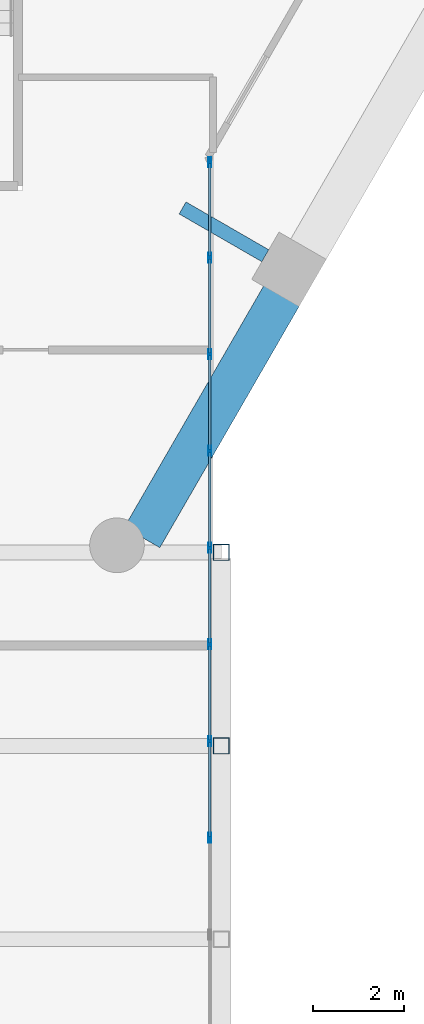
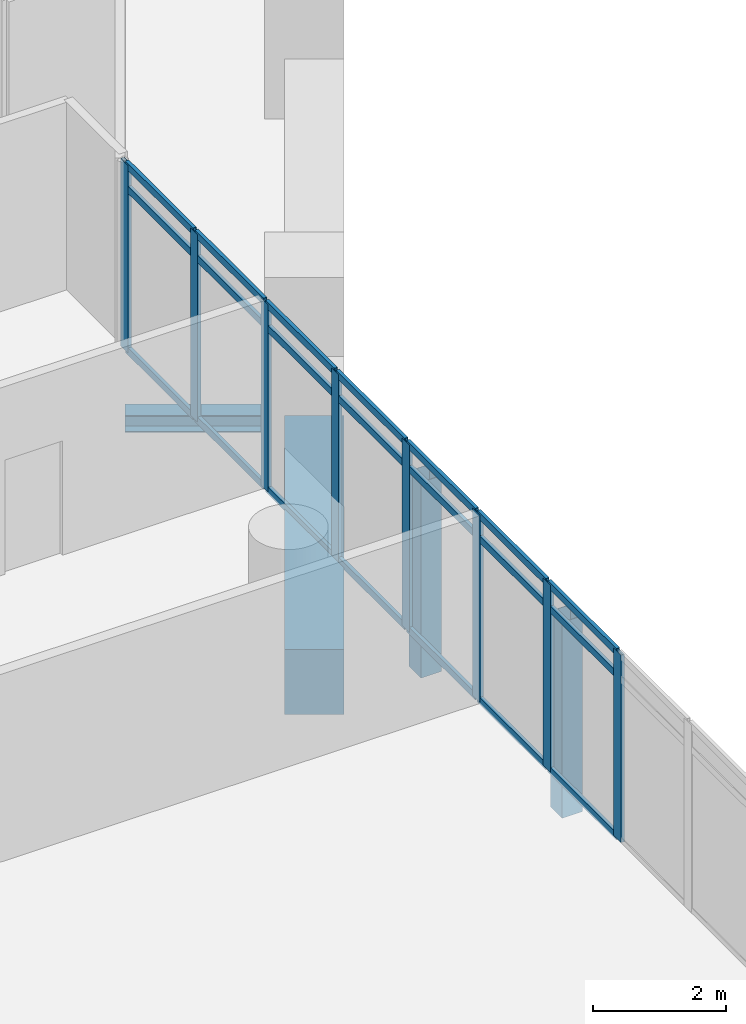
# One storey, part 14 of 37: 31 members, 2 beams, 1 element without a shape of its own.
"""IFC4 building model written with IfcOpenShell, lengths in metres."""

from ifc_helpers import new_model, si_unit, direction, frame, origin, origin_2d, place, context, subcontext, project, spatial, rectangle, hollow_rectangle, i_section, extrude, material, material_profile, profile_set, type_object, element, aggregate, save


model = new_model("IFC4")

# Units and contexts
model_context = context("Model", 3, precision=1e-05, world=origin(), true_north=direction((0.0, 1.0)))
body_context = subcontext(model_context, "Body", "Model", "MODEL_VIEW")
ifc_project = project(units=[si_unit("LENGTHUNIT", "METRE"), si_unit("AREAUNIT", "SQUARE_METRE"), si_unit("VOLUMEUNIT", "CUBIC_METRE"), si_unit("PLANEANGLEUNIT", "RADIAN"), si_unit("MASSUNIT", "GRAM", prefix="KILO")], contexts=[model_context])

# Site, building, storey
site_placement = place(None, origin())
site = spatial("IfcSite", under=ifc_project, at=site_placement, CompositionType="ELEMENT")
building_placement = place(site_placement, origin())
building = spatial("IfcBuilding", under=site, at=building_placement, Name="Ostrander Bayou Hotel Tower", CompositionType="ELEMENT")
storey_placement = place(building_placement, frame((0.0, 0.0, 93.0)))
storey = spatial("IfcBuildingStorey", under=building, at=storey_placement, Name="L23", CompositionType="ELEMENT", Elevation=93.0)

# Curtain wall, members
ifc_material_1 = material(Name="Aluminium and clear glass", Category="aluminium")
curtain_wall_type = type_object("IfcCurtainWallType", Name="CW-BAR glazed wall", PredefinedType="NOTDEFINED", material=ifc_material_1)
curtain_wall_placement = place(storey_placement, origin())
curtain_wall = element("IfcCurtainWall", 1, at=curtain_wall_placement, inside=storey, type_object=curtain_wall_type, Name="CW-BAR L23:SB2S:W", PredefinedType="NOTDEFINED")
ifc_material_2 = material(Name="Aluminium", Category="aluminium")
ifc_material_profile_1 = material_profile(ifc_material_2, hollow_rectangle(XDim=0.06005859375, YDim=0.219970703125, WallThickness=0.00390625, at=origin_2d()))
ifc_profile_set_1 = profile_set([ifc_material_profile_1], Name="Aluminium")
member_type_1 = type_object("IfcMemberType", Name="CW-BR mullion 60 x 220 mm", PredefinedType="MULLION", material=ifc_profile_set_1)
member_1_placement = place(storey_placement, frame((13.3671875, -10.877197265625, 0.0), z_axis=(0.0, 0.0, 1.0), x_axis=(1.0, 0.0, 0.0)))
member_1 = element("IfcMember", 2, at=member_1_placement, type_object=member_type_1, Name="CW-BAR mullion 1", PredefinedType="MULLION", context=body_context, shape_type="SweptSolid", body=[
    extrude(hollow_rectangle(XDim=0.06005859375, YDim=0.219970703125, WallThickness=0.00390625, at=origin_2d()), origin(), (0.0, 0.0, 1.0), 3.449951171875),
])
member_2_placement = place(storey_placement, frame((13.3671875, -12.972412109375, 0.0), z_axis=(0.0, 0.0, 1.0), x_axis=(1.0, 0.0, 0.0)))
member_2 = element("IfcMember", 3, at=member_2_placement, type_object=member_type_1, Name="CW-BAR mullion 2", PredefinedType="MULLION", context=body_context, shape_type="SweptSolid", body=[
    extrude(hollow_rectangle(XDim=0.06005859375, YDim=0.219970703125, WallThickness=0.00390625, at=origin_2d()), origin(), (0.0, 0.0, 1.0), 3.449951171875),
])
member_3_placement = place(storey_placement, frame((13.3671875, -15.097412109375, 0.0), z_axis=(0.0, 0.0, 1.0), x_axis=(1.0, 0.0, 0.0)))
member_3 = element("IfcMember", 4, at=member_3_placement, type_object=member_type_1, Name="CW-BAR mullion 3", PredefinedType="MULLION", context=body_context, shape_type="SweptSolid", body=[
    extrude(hollow_rectangle(XDim=0.06005859375, YDim=0.219970703125, WallThickness=0.00390625, at=origin_2d()), origin(), (0.0, 0.0, 1.0), 3.449951171875),
])
member_4_placement = place(storey_placement, frame((13.3671875, -17.222412109375, 0.0), z_axis=(0.0, 0.0, 1.0), x_axis=(1.0, 0.0, 0.0)))
member_4 = element("IfcMember", 5, at=member_4_placement, type_object=member_type_1, Name="CW-BAR mullion 4", PredefinedType="MULLION", context=body_context, shape_type="SweptSolid", body=[
    extrude(hollow_rectangle(XDim=0.06005859375, YDim=0.219970703125, WallThickness=0.00390625, at=origin_2d()), origin(), (0.0, 0.0, 1.0), 3.449951171875),
])
member_5_placement = place(storey_placement, frame((13.3671875, -19.347412109375, 0.0), z_axis=(0.0, 0.0, 1.0), x_axis=(1.0, 0.0, 0.0)))
member_5 = element("IfcMember", 6, at=member_5_placement, type_object=member_type_1, Name="CW-BAR mullion 5", PredefinedType="MULLION", context=body_context, shape_type="SweptSolid", body=[
    extrude(hollow_rectangle(XDim=0.06005859375, YDim=0.219970703125, WallThickness=0.00390625, at=origin_2d()), origin(), (0.0, 0.0, 1.0), 3.449951171875),
])
member_6_placement = place(storey_placement, frame((13.3671875, -21.47265625, 0.0), z_axis=(0.0, 0.0, 1.0), x_axis=(1.0, 0.0, 0.0)))
member_6 = element("IfcMember", 7, at=member_6_placement, type_object=member_type_1, Name="CW-BAR mullion 6", PredefinedType="MULLION", context=body_context, shape_type="SweptSolid", body=[
    extrude(hollow_rectangle(XDim=0.06005859375, YDim=0.219970703125, WallThickness=0.00390625, at=origin_2d()), origin(), (0.0, 0.0, 1.0), 3.449951171875),
])
member_7_placement = place(storey_placement, frame((13.3671875, -23.59765625, 0.0), z_axis=(0.0, 0.0, 1.0), x_axis=(1.0, 0.0, 0.0)))
member_7 = element("IfcMember", 8, at=member_7_placement, type_object=member_type_1, Name="CW-BAR mullion 7", PredefinedType="MULLION", context=body_context, shape_type="SweptSolid", body=[
    extrude(hollow_rectangle(XDim=0.06005859375, YDim=0.219970703125, WallThickness=0.00390625, at=origin_2d()), origin(), (0.0, 0.0, 1.0), 3.449951171875),
])
member_8_placement = place(storey_placement, frame((13.3671875, -25.72265625, 0.0), z_axis=(0.0, 0.0, 1.0), x_axis=(1.0, 0.0, 0.0)))
member_8 = element("IfcMember", 9, at=member_8_placement, type_object=member_type_1, Name="CW-BAR mullion 8", PredefinedType="MULLION", context=body_context, shape_type="SweptSolid", body=[
    extrude(hollow_rectangle(XDim=0.06005859375, YDim=0.219970703125, WallThickness=0.00390625, at=origin_2d()), origin(), (0.0, 0.0, 1.0), 3.449951171875),
])
ifc_material_3 = material(Name="Aluminium", Category="aluminium")
ifc_material_profile_2 = material_profile(ifc_material_3, hollow_rectangle(XDim=0.06005859375, YDim=0.1298828125, WallThickness=0.00390625, at=origin_2d()))
ifc_profile_set_2 = profile_set([ifc_material_profile_2], Name="Aluminium")
member_type_2 = type_object("IfcMemberType", Name="CW-BR transom 60 x 130 mm", PredefinedType="USERDEFINED", material=ifc_profile_set_2)
member_9_placement = place(storey_placement, frame((13.3671875, -10.9072265625, 0.030029296875), z_axis=(0.0, -1.0, 0.0), x_axis=(1.0, 0.0, 0.0)))
member_9 = element("IfcMember", 10, at=member_9_placement, type_object=member_type_2, Name="CW-BAR transom 1.1", ObjectType="TRANSOM", PredefinedType="USERDEFINED", context=body_context, shape_type="SweptSolid", body=[
    extrude(hollow_rectangle(XDim=0.06005859375, YDim=0.1298828125, WallThickness=0.00390625, at=origin_2d()), origin(), (0.0, 0.0, 1.0), 2.03515625),
])
member_10_placement = place(storey_placement, frame((13.3671875, -10.9072265625, 3.0), z_axis=(0.0, -1.0, 0.0), x_axis=(1.0, 0.0, 0.0)))
member_10 = element("IfcMember", 11, at=member_10_placement, type_object=member_type_2, Name="CW-BAR transom 1.2", ObjectType="TRANSOM", PredefinedType="USERDEFINED", context=body_context, shape_type="SweptSolid", body=[
    extrude(hollow_rectangle(XDim=0.06005859375, YDim=0.1298828125, WallThickness=0.00390625, at=origin_2d()), origin(), (0.0, 0.0, 1.0), 2.03515625),
])
member_11_placement = place(storey_placement, frame((13.3671875, -10.9072265625, 3.419921875), z_axis=(0.0, -1.0, 0.0), x_axis=(1.0, 0.0, 0.0)))
member_11 = element("IfcMember", 12, at=member_11_placement, type_object=member_type_2, Name="CW-BAR transom 1.3", ObjectType="TRANSOM", PredefinedType="USERDEFINED", context=body_context, shape_type="SweptSolid", body=[
    extrude(hollow_rectangle(XDim=0.06005859375, YDim=0.1298828125, WallThickness=0.00390625, at=origin_2d()), origin(), (0.0, 0.0, 1.0), 2.03515625),
])
member_12_placement = place(storey_placement, frame((13.3671875, -13.00244140625, 0.030029296875), z_axis=(0.0, -1.0, 0.0), x_axis=(1.0, 0.0, 0.0)))
member_12 = element("IfcMember", 13, at=member_12_placement, type_object=member_type_2, Name="CW-BAR transom 2.1", ObjectType="TRANSOM", PredefinedType="USERDEFINED", context=body_context, shape_type="SweptSolid", body=[
    extrude(hollow_rectangle(XDim=0.06005859375, YDim=0.1298828125, WallThickness=0.00390625, at=origin_2d()), origin(), (0.0, 0.0, 1.0), 2.06494140625),
])
member_13_placement = place(storey_placement, frame((13.3671875, -13.00244140625, 3.0), z_axis=(0.0, -1.0, 0.0), x_axis=(1.0, 0.0, 0.0)))
member_13 = element("IfcMember", 14, at=member_13_placement, type_object=member_type_2, Name="CW-BAR transom 2.2", ObjectType="TRANSOM", PredefinedType="USERDEFINED", context=body_context, shape_type="SweptSolid", body=[
    extrude(hollow_rectangle(XDim=0.06005859375, YDim=0.1298828125, WallThickness=0.00390625, at=origin_2d()), origin(), (0.0, 0.0, 1.0), 2.06494140625),
])
member_14_placement = place(storey_placement, frame((13.3671875, -13.00244140625, 3.419921875), z_axis=(0.0, -1.0, 0.0), x_axis=(1.0, 0.0, 0.0)))
member_14 = element("IfcMember", 15, at=member_14_placement, type_object=member_type_2, Name="CW-BAR transom 2.3", ObjectType="TRANSOM", PredefinedType="USERDEFINED", context=body_context, shape_type="SweptSolid", body=[
    extrude(hollow_rectangle(XDim=0.06005859375, YDim=0.1298828125, WallThickness=0.00390625, at=origin_2d()), origin(), (0.0, 0.0, 1.0), 2.06494140625),
])
member_15_placement = place(storey_placement, frame((13.3671875, -15.12744140625, 0.030029296875), z_axis=(0.0, -1.0, 0.0), x_axis=(1.0, 0.0, 0.0)))
member_15 = element("IfcMember", 16, at=member_15_placement, type_object=member_type_2, Name="CW-BAR transom 3.1", ObjectType="TRANSOM", PredefinedType="USERDEFINED", context=body_context, shape_type="SweptSolid", body=[
    extrude(hollow_rectangle(XDim=0.06005859375, YDim=0.1298828125, WallThickness=0.00390625, at=origin_2d()), origin(), (0.0, 0.0, 1.0), 2.06494140625),
])
member_16_placement = place(storey_placement, frame((13.3671875, -15.12744140625, 3.0), z_axis=(0.0, -1.0, 0.0), x_axis=(1.0, 0.0, 0.0)))
member_16 = element("IfcMember", 17, at=member_16_placement, type_object=member_type_2, Name="CW-BAR transom 3.2", ObjectType="TRANSOM", PredefinedType="USERDEFINED", context=body_context, shape_type="SweptSolid", body=[
    extrude(hollow_rectangle(XDim=0.06005859375, YDim=0.1298828125, WallThickness=0.00390625, at=origin_2d()), origin(), (0.0, 0.0, 1.0), 2.06494140625),
])
member_17_placement = place(storey_placement, frame((13.3671875, -15.12744140625, 3.419921875), z_axis=(0.0, -1.0, 0.0), x_axis=(1.0, 0.0, 0.0)))
member_17 = element("IfcMember", 18, at=member_17_placement, type_object=member_type_2, Name="CW-BAR transom 3.3", ObjectType="TRANSOM", PredefinedType="USERDEFINED", context=body_context, shape_type="SweptSolid", body=[
    extrude(hollow_rectangle(XDim=0.06005859375, YDim=0.1298828125, WallThickness=0.00390625, at=origin_2d()), origin(), (0.0, 0.0, 1.0), 2.06494140625),
])
member_18_placement = place(storey_placement, frame((13.3671875, -17.25244140625, 0.030029296875), z_axis=(0.0, -1.0, 0.0), x_axis=(1.0, 0.0, 0.0)))
member_18 = element("IfcMember", 19, at=member_18_placement, type_object=member_type_2, Name="CW-BAR transom 4.1", ObjectType="TRANSOM", PredefinedType="USERDEFINED", context=body_context, shape_type="SweptSolid", body=[
    extrude(hollow_rectangle(XDim=0.06005859375, YDim=0.1298828125, WallThickness=0.00390625, at=origin_2d()), origin(), (0.0, 0.0, 1.0), 2.06494140625),
])
member_19_placement = place(storey_placement, frame((13.3671875, -17.25244140625, 3.0), z_axis=(0.0, -1.0, 0.0), x_axis=(1.0, 0.0, 0.0)))
member_19 = element("IfcMember", 20, at=member_19_placement, type_object=member_type_2, Name="CW-BAR transom 4.2", ObjectType="TRANSOM", PredefinedType="USERDEFINED", context=body_context, shape_type="SweptSolid", body=[
    extrude(hollow_rectangle(XDim=0.06005859375, YDim=0.1298828125, WallThickness=0.00390625, at=origin_2d()), origin(), (0.0, 0.0, 1.0), 2.06494140625),
])
member_20_placement = place(storey_placement, frame((13.3671875, -17.25244140625, 3.419921875), z_axis=(0.0, -1.0, 0.0), x_axis=(1.0, 0.0, 0.0)))
member_20 = element("IfcMember", 21, at=member_20_placement, type_object=member_type_2, Name="CW-BAR transom 4.3", ObjectType="TRANSOM", PredefinedType="USERDEFINED", context=body_context, shape_type="SweptSolid", body=[
    extrude(hollow_rectangle(XDim=0.06005859375, YDim=0.1298828125, WallThickness=0.00390625, at=origin_2d()), origin(), (0.0, 0.0, 1.0), 2.06494140625),
])
member_21_placement = place(storey_placement, frame((13.3671875, -19.37744140625, 0.030029296875), z_axis=(0.0, -1.0, 0.0), x_axis=(1.0, 0.0, 0.0)))
member_21 = element("IfcMember", 22, at=member_21_placement, type_object=member_type_2, Name="CW-BAR transom 5.1", ObjectType="TRANSOM", PredefinedType="USERDEFINED", context=body_context, shape_type="SweptSolid", body=[
    extrude(hollow_rectangle(XDim=0.06005859375, YDim=0.1298828125, WallThickness=0.00390625, at=origin_2d()), origin(), (0.0, 0.0, 1.0), 2.065185546875),
])
member_22_placement = place(storey_placement, frame((13.3671875, -19.37744140625, 3.0), z_axis=(0.0, -1.0, 0.0), x_axis=(1.0, 0.0, 0.0)))
member_22 = element("IfcMember", 23, at=member_22_placement, type_object=member_type_2, Name="CW-BAR transom 5.2", ObjectType="TRANSOM", PredefinedType="USERDEFINED", context=body_context, shape_type="SweptSolid", body=[
    extrude(hollow_rectangle(XDim=0.06005859375, YDim=0.1298828125, WallThickness=0.00390625, at=origin_2d()), origin(), (0.0, 0.0, 1.0), 2.065185546875),
])
member_23_placement = place(storey_placement, frame((13.3671875, -19.37744140625, 3.419921875), z_axis=(0.0, -1.0, 0.0), x_axis=(1.0, 0.0, 0.0)))
member_23 = element("IfcMember", 24, at=member_23_placement, type_object=member_type_2, Name="CW-BAR transom 5.3", ObjectType="TRANSOM", PredefinedType="USERDEFINED", context=body_context, shape_type="SweptSolid", body=[
    extrude(hollow_rectangle(XDim=0.06005859375, YDim=0.1298828125, WallThickness=0.00390625, at=origin_2d()), origin(), (0.0, 0.0, 1.0), 2.065185546875),
])
member_24_placement = place(storey_placement, frame((13.3671875, -21.50244140625, 0.030029296875), z_axis=(0.0, -1.0, 0.0), x_axis=(1.0, 0.0, 0.0)))
member_24 = element("IfcMember", 25, at=member_24_placement, type_object=member_type_2, Name="CW-BAR transom 6.1", ObjectType="TRANSOM", PredefinedType="USERDEFINED", context=body_context, shape_type="SweptSolid", body=[
    extrude(hollow_rectangle(XDim=0.06005859375, YDim=0.1298828125, WallThickness=0.00390625, at=origin_2d()), origin(), (0.0, 0.0, 1.0), 2.065185546875),
])
member_25_placement = place(storey_placement, frame((13.3671875, -21.50244140625, 3.0), z_axis=(0.0, -1.0, 0.0), x_axis=(1.0, 0.0, 0.0)))
member_25 = element("IfcMember", 26, at=member_25_placement, type_object=member_type_2, Name="CW-BAR transom 6.2", ObjectType="TRANSOM", PredefinedType="USERDEFINED", context=body_context, shape_type="SweptSolid", body=[
    extrude(hollow_rectangle(XDim=0.06005859375, YDim=0.1298828125, WallThickness=0.00390625, at=origin_2d()), origin(), (0.0, 0.0, 1.0), 2.065185546875),
])
member_26_placement = place(storey_placement, frame((13.3671875, -21.50244140625, 3.419921875), z_axis=(0.0, -1.0, 0.0), x_axis=(1.0, 0.0, 0.0)))
member_26 = element("IfcMember", 27, at=member_26_placement, type_object=member_type_2, Name="CW-BAR transom 6.3", ObjectType="TRANSOM", PredefinedType="USERDEFINED", context=body_context, shape_type="SweptSolid", body=[
    extrude(hollow_rectangle(XDim=0.06005859375, YDim=0.1298828125, WallThickness=0.00390625, at=origin_2d()), origin(), (0.0, 0.0, 1.0), 2.065185546875),
])
member_27_placement = place(storey_placement, frame((13.3671875, -23.627685546875, 0.030029296875), z_axis=(0.0, -1.0, 0.0), x_axis=(1.0, 0.0, 0.0)))
member_27 = element("IfcMember", 28, at=member_27_placement, type_object=member_type_2, Name="CW-BAR transom 7.1", ObjectType="TRANSOM", PredefinedType="USERDEFINED", context=body_context, shape_type="SweptSolid", body=[
    extrude(hollow_rectangle(XDim=0.06005859375, YDim=0.1298828125, WallThickness=0.00390625, at=origin_2d()), origin(), (0.0, 0.0, 1.0), 2.06494140625),
])
member_28_placement = place(storey_placement, frame((13.3671875, -23.627685546875, 3.0), z_axis=(0.0, -1.0, 0.0), x_axis=(1.0, 0.0, 0.0)))
member_28 = element("IfcMember", 29, at=member_28_placement, type_object=member_type_2, Name="CW-BAR transom 7.2", ObjectType="TRANSOM", PredefinedType="USERDEFINED", context=body_context, shape_type="SweptSolid", body=[
    extrude(hollow_rectangle(XDim=0.06005859375, YDim=0.1298828125, WallThickness=0.00390625, at=origin_2d()), origin(), (0.0, 0.0, 1.0), 2.06494140625),
])
member_29_placement = place(storey_placement, frame((13.3671875, -23.627685546875, 3.419921875), z_axis=(0.0, -1.0, 0.0), x_axis=(1.0, 0.0, 0.0)))
member_29 = element("IfcMember", 30, at=member_29_placement, type_object=member_type_2, Name="CW-BAR transom 7.3", ObjectType="TRANSOM", PredefinedType="USERDEFINED", context=body_context, shape_type="SweptSolid", body=[
    extrude(hollow_rectangle(XDim=0.06005859375, YDim=0.1298828125, WallThickness=0.00390625, at=origin_2d()), origin(), (0.0, 0.0, 1.0), 2.06494140625),
])
aggregate(curtain_wall, [member_1, member_2, member_3, member_4, member_5, member_6, member_7, member_8, member_9, member_10, member_11, member_12, member_13, member_14, member_15, member_16, member_17, member_18, member_19, member_20, member_21, member_22, member_23, member_24, member_25, member_26, member_27, member_28, member_29])

# Beams
ifc_material_4 = material(Name="Steel ASTM A992", Category="steel")
ifc_material_profile_3 = material_profile(ifc_material_4, i_section(OverallWidth=0.3046875, OverallDepth=0.307861328125, WebThickness=0.010009765625, FlangeThickness=0.015380859375, at=origin_2d()))
ifc_profile_set_3 = profile_set([ifc_material_profile_3], Name="Steel ASTM A992")
beam_type_1 = type_object("IfcBeamType", Name="LB1 loggia bracket W12x65", PredefinedType="BEAM", material=ifc_profile_set_3)
beam_1_placement = place(storey_placement, frame((14.587646484375, -12.933349609375, -0.453857421875), z_axis=(-0.866009402589, 0.500027713859, 0.0), x_axis=(-0.500027713859, -0.866009402589, 0.0)))
element("IfcBeam", 31, at=beam_1_placement, inside=storey, type_object=beam_type_1, Name="LB1 L23 SE1", PredefinedType="BEAM", context=body_context, shape_type="SweptSolid", body=[
    extrude(i_section(OverallWidth=0.3046875, OverallDepth=0.307861328125, WebThickness=0.010009765625, FlangeThickness=0.015380859375, at=origin_2d()), origin(), (0.0, 0.0, 1.0), 2.10009765625),
])
ifc_material_5 = material(Name="Concrete f'c 70 MPa", Category="concrete")
ifc_material_profile_4 = material_profile(ifc_material_5, rectangle(XDim=0.89990234375, YDim=1.199951171875, at=origin_2d()))
ifc_profile_set_4 = profile_set([ifc_material_profile_4], Name="Concrete f'c 70 MPa")
beam_type_2 = type_object("IfcBeamType", Name="SP2 spandrel beam 900 x 1200 mm f'c 70 MPa", PredefinedType="SPANDREL", material=ifc_profile_set_4)
beam_2_placement = place(storey_placement, frame((11.88037109375, -19.122802734375, -0.60009765625), z_axis=(0.499976998774, 0.866038683141, 0.0), x_axis=(-0.866038683141, 0.499976998774, 0.0)))
element("IfcBeam", 32, at=beam_2_placement, inside=storey, type_object=beam_type_2, Name="SP2 L23 SE-1", PredefinedType="SPANDREL", context=body_context, shape_type="SweptSolid", body=[
    extrude(rectangle(XDim=0.89990234375, YDim=1.199951171875, at=origin_2d()), origin(), (0.0, 0.0, 1.0), 6.143798828125),
])

# Members
ifc_material_6 = material(Name="Steel ASTM A500 Gr C", Category="steel")
ifc_material_profile_5 = material_profile(ifc_material_6, hollow_rectangle(XDim=0.355712890625, YDim=0.355712890625, WallThickness=0.0087890625, at=origin_2d()))
ifc_profile_set_5 = profile_set([ifc_material_profile_5], Name="Steel ASTM A500 Gr C")
member_type_3 = type_object("IfcMemberType", Name="TH3 bar hanger HSS14x14x3/8", PredefinedType="POST", material=ifc_profile_set_5)
for number, where, z_axis, x_axis, name in (
    (33, (13.6201171875, -19.450927734375, -0.771728515625), (0.0, 0.0, 1.0), (1.0, 0.0, 0.0), "TH3 SB2SB H1-1"),
    (34, (13.6201171875, -23.70068359375, -0.771728515625), (0.0, 0.0, 1.0), (1.0, 0.0, 0.0), "TH3 SB2SB H2-1"),
):
    element("IfcMember", number, at=place(storey_placement, frame(where, z_axis=z_axis, x_axis=x_axis)), inside=storey, type_object=member_type_3, Name=name, PredefinedType="POST", context=body_context, shape_type="SweptSolid", body=[
        extrude(hollow_rectangle(XDim=0.355712890625, YDim=0.355712890625, WallThickness=0.0087890625, at=origin_2d()), origin(), (0.0, 0.0, 1.0), 3.599853515625),
    ])

save(model, "model.ifc")
